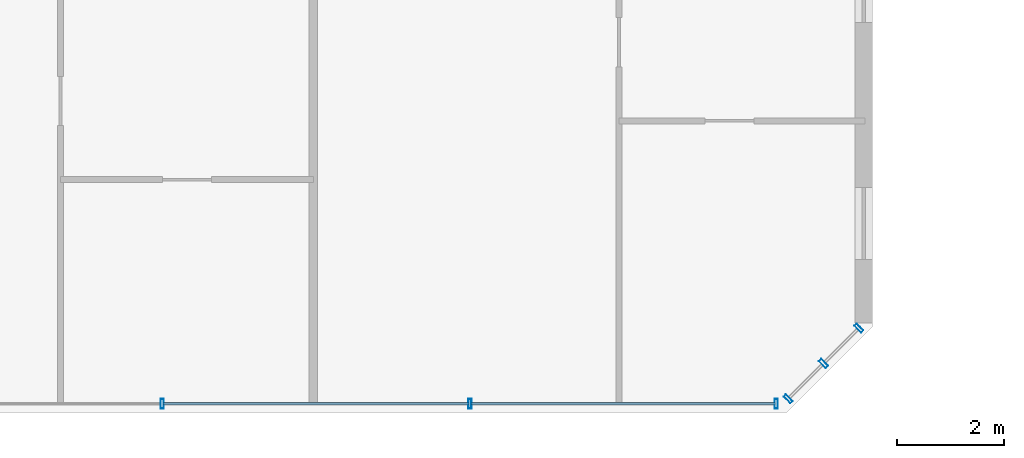
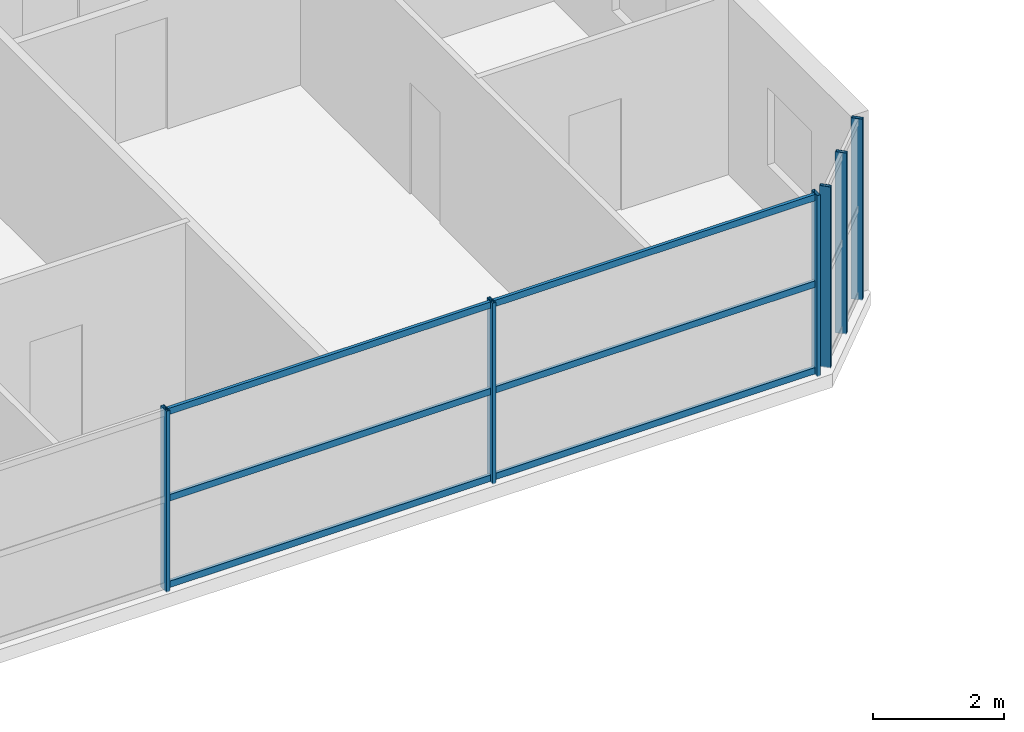
# One storey, part 6 of 20: 12 members, 2 elements without a shape of their own.
"""IFC4 building model written with IfcOpenShell, lengths in metres."""

from ifc_helpers import new_model, si_unit, direction, frame, origin, origin_2d, place, context, subcontext, project, spatial, hollow_rectangle, extrude, source, transform, mapped, material, material_profile, profile_set, type_object, element, aggregate, save


model = new_model("IFC4")

# Units and contexts
model_context = context("Model", 3, precision=1e-05, world=origin(), true_north=direction((0.0, 1.0)))
body_context = subcontext(model_context, "Body", "Model", "MODEL_VIEW")
ifc_project = project(units=[si_unit("LENGTHUNIT", "METRE"), si_unit("AREAUNIT", "SQUARE_METRE"), si_unit("VOLUMEUNIT", "CUBIC_METRE"), si_unit("PLANEANGLEUNIT", "RADIAN"), si_unit("MASSUNIT", "GRAM", prefix="KILO")], contexts=[model_context])

# Site, building, storey
site_placement = place(None, origin())
site = spatial("IfcSite", under=ifc_project, at=site_placement, CompositionType="ELEMENT")
building_placement = place(site_placement, origin())
building = spatial("IfcBuilding", under=site, at=building_placement, Name="Tlacorven Tower", CompositionType="ELEMENT")
storey_placement = place(building_placement, frame((0.0, 0.0, 204.0)))
storey = spatial("IfcBuildingStorey", under=building, at=storey_placement, Name="L51", CompositionType="ELEMENT", Elevation=204.0)

# Curtain wall, members
ifc_material_1 = material(Name="Dark solar low-E double glazing in aluminium frame", Category="aluminium")
curtain_wall_type = type_object("IfcCurtainWallType", Name="CW-TWR-HIGH", PredefinedType="USERDEFINED", material=ifc_material_1)
curtain_wall_1_placement = place(storey_placement, origin())
curtain_wall_1 = element("IfcCurtainWall", 1, at=curtain_wall_1_placement, inside=storey, type_object=curtain_wall_type, Name="L51 CW-TWR-HIGH Curtain Wall 232", ObjectType="UNITISED CURTAIN WALL", PredefinedType="USERDEFINED")
ifc_material_2 = material(Name="Aluminium 6063-T6 anodised", Category="aluminium")
ifc_material_profile_1 = material_profile(ifc_material_2, hollow_rectangle(XDim=0.06005859375, YDim=0.179931640625, WallThickness=0.00390625, at=origin_2d()), Name="ALU MULLION 60X180")
ifc_profile_set_1 = profile_set([ifc_material_profile_1], Name="Aluminium 6063-T6 anodised")
member_type_1 = type_object("IfcMemberType", Name="CWM-03", PredefinedType="MULLION", material=ifc_profile_set_1)
shared_shape_1 = source(origin(), body_context, "Body", "SweptSolid", [
    extrude(hollow_rectangle(XDim=0.06005859375, YDim=0.179931640625, WallThickness=0.00390625, at=origin_2d()), origin(), (0.0, 0.0, 1.0), 3.380126953125),
])
member_1_placement = place(storey_placement, frame((52.148193359375, 3.374267578125, -0.02001953125), z_axis=(0.0, 0.0, 1.0), x_axis=(-0.707106781187, -0.707106781187, 0.0)))
member_1 = element("IfcMember", 2, at=member_1_placement, type_object=member_type_1, Name="CW-L51-232 Mullion 1", PredefinedType="MULLION", context=body_context, shape_type="MappedRepresentation", body=[
    mapped(shared_shape_1, transform((0.0, 0.0, 0.0), scale=1.0)),
])
member_2_placement = place(storey_placement, frame((51.48681640625, 2.713134765625, -0.02001953125), z_axis=(0.0, 0.0, 1.0), x_axis=(-0.707106781187, -0.707106781187, 0.0)))
member_2 = element("IfcMember", 3, at=member_2_placement, type_object=member_type_1, Name="CW-L51-232 Mullion 2", PredefinedType="MULLION", context=body_context, shape_type="MappedRepresentation", body=[
    mapped(shared_shape_1, transform((0.0, 0.0, 0.0), scale=1.0)),
])
member_3_placement = place(storey_placement, frame((50.82568359375, 2.052001953125, -0.02001953125), z_axis=(0.0, 0.0, 1.0), x_axis=(-0.707106781187, -0.707106781187, 0.0)))
member_3 = element("IfcMember", 4, at=member_3_placement, type_object=member_type_1, Name="CW-L51-232 Mullion 3", PredefinedType="MULLION", context=body_context, shape_type="MappedRepresentation", body=[
    mapped(shared_shape_1, transform((0.0, 0.0, 0.0), scale=1.0)),
])
aggregate(curtain_wall_1, [member_1, member_2, member_3])

curtain_wall_2_placement = place(storey_placement, origin())
curtain_wall_2 = element("IfcCurtainWall", 5, at=curtain_wall_2_placement, inside=storey, type_object=curtain_wall_type, Name="L51 CW-TWR-HIGH Curtain Wall 233", ObjectType="UNITISED CURTAIN WALL", PredefinedType="USERDEFINED")
member_4_placement = place(storey_placement, frame((50.603759765625, 1.9599609375, -0.02001953125), z_axis=(0.0, 0.0, 1.0), x_axis=(-1.0, 0.0, 0.0)))
member_4 = element("IfcMember", 6, at=member_4_placement, type_object=member_type_1, Name="CW-L51-233 Mullion 1", PredefinedType="MULLION", context=body_context, shape_type="MappedRepresentation", body=[
    mapped(shared_shape_1, transform((0.0, 0.0, 0.0), scale=1.0)),
])
member_5_placement = place(storey_placement, frame((44.8779296875, 1.9599609375, -0.02001953125), z_axis=(0.0, 0.0, 1.0), x_axis=(-1.0, 0.0, 0.0)))
member_5 = element("IfcMember", 7, at=member_5_placement, type_object=member_type_1, Name="CW-L51-233 Mullion 2", PredefinedType="MULLION", context=body_context, shape_type="MappedRepresentation", body=[
    mapped(shared_shape_1, transform((0.0, 0.0, 0.0), scale=1.0)),
])
member_6_placement = place(storey_placement, frame((39.1220703125, 1.9599609375, -0.02001953125), z_axis=(0.0, 0.0, 1.0), x_axis=(-1.0, 0.0, 0.0)))
member_6 = element("IfcMember", 8, at=member_6_placement, type_object=member_type_1, Name="CW-L51-233 Mullion 3", PredefinedType="MULLION", context=body_context, shape_type="MappedRepresentation", body=[
    mapped(shared_shape_1, transform((0.0, 0.0, 0.0), scale=1.0)),
])
ifc_material_profile_2 = material_profile(ifc_material_2, hollow_rectangle(XDim=0.054931640625, YDim=0.1201171875, WallThickness=0.00341796875, at=origin_2d()), Name="ALU TRANSOM 55X120")
ifc_profile_set_2 = profile_set([ifc_material_profile_2], Name="Aluminium 6063-T6 anodised")
member_type_2 = type_object("IfcMemberType", Name="CWT-03", PredefinedType="USERDEFINED", material=ifc_profile_set_2)
shared_shape_2 = source(origin(), body_context, "Body", "SweptSolid", [
    extrude(hollow_rectangle(XDim=0.054931640625, YDim=0.1201171875, WallThickness=0.00341796875, at=origin_2d()), origin(), (0.0, 0.0, 1.0), 5.689697265625),
])
member_7_placement = place(storey_placement, frame((50.585693359375, 1.9599609375, 0.06005859375), z_axis=(-1.0, 0.0, 0.0), x_axis=(0.0, -1.0, 0.0)))
member_7 = element("IfcMember", 9, at=member_7_placement, type_object=member_type_2, Name="CW-L51-233 Transom 1", ObjectType="TRANSOM", PredefinedType="USERDEFINED", context=body_context, shape_type="MappedRepresentation", body=[
    mapped(shared_shape_2, transform((0.0, 0.0, 0.0), scale=1.0)),
])
member_8_placement = place(storey_placement, frame((50.585693359375, 1.9599609375, 1.675048828125), z_axis=(-1.0, 0.0, 0.0), x_axis=(0.0, -1.0, 0.0)))
member_8 = element("IfcMember", 10, at=member_8_placement, type_object=member_type_2, Name="CW-L51-233 Transom 2", ObjectType="TRANSOM", PredefinedType="USERDEFINED", context=body_context, shape_type="MappedRepresentation", body=[
    mapped(shared_shape_2, transform((0.0, 0.0, 0.0), scale=1.0)),
])
member_9_placement = place(storey_placement, frame((50.585693359375, 1.9599609375, 3.2900390625), z_axis=(-1.0, 0.0, 0.0), x_axis=(0.0, -1.0, 0.0)))
member_9 = element("IfcMember", 11, at=member_9_placement, type_object=member_type_2, Name="CW-L51-233 Transom 3", ObjectType="TRANSOM", PredefinedType="USERDEFINED", context=body_context, shape_type="MappedRepresentation", body=[
    mapped(shared_shape_2, transform((0.0, 0.0, 0.0), scale=1.0)),
])
shared_shape_3 = source(origin(), body_context, "Body", "SweptSolid", [
    extrude(hollow_rectangle(XDim=0.054931640625, YDim=0.1201171875, WallThickness=0.00341796875, at=origin_2d()), origin(), (0.0, 0.0, 1.0), 5.7197265625),
])
member_10_placement = place(storey_placement, frame((44.85986328125, 1.9599609375, 0.06005859375), z_axis=(-1.0, 0.0, 0.0), x_axis=(0.0, -1.0, 0.0)))
member_10 = element("IfcMember", 12, at=member_10_placement, type_object=member_type_2, Name="CW-L51-233 Transom 4", ObjectType="TRANSOM", PredefinedType="USERDEFINED", context=body_context, shape_type="MappedRepresentation", body=[
    mapped(shared_shape_3, transform((0.0, 0.0, 0.0), scale=1.0)),
])
member_11_placement = place(storey_placement, frame((44.85986328125, 1.9599609375, 1.675048828125), z_axis=(-1.0, 0.0, 0.0), x_axis=(0.0, -1.0, 0.0)))
member_11 = element("IfcMember", 13, at=member_11_placement, type_object=member_type_2, Name="CW-L51-233 Transom 5", ObjectType="TRANSOM", PredefinedType="USERDEFINED", context=body_context, shape_type="MappedRepresentation", body=[
    mapped(shared_shape_3, transform((0.0, 0.0, 0.0), scale=1.0)),
])
member_12_placement = place(storey_placement, frame((44.85986328125, 1.9599609375, 3.2900390625), z_axis=(-1.0, 0.0, 0.0), x_axis=(0.0, -1.0, 0.0)))
member_12 = element("IfcMember", 14, at=member_12_placement, type_object=member_type_2, Name="CW-L51-233 Transom 6", ObjectType="TRANSOM", PredefinedType="USERDEFINED", context=body_context, shape_type="MappedRepresentation", body=[
    mapped(shared_shape_3, transform((0.0, 0.0, 0.0), scale=1.0)),
])
aggregate(curtain_wall_2, [member_4, member_5, member_6, member_7, member_8, member_9, member_10, member_11, member_12])

save(model, "model.ifc")
